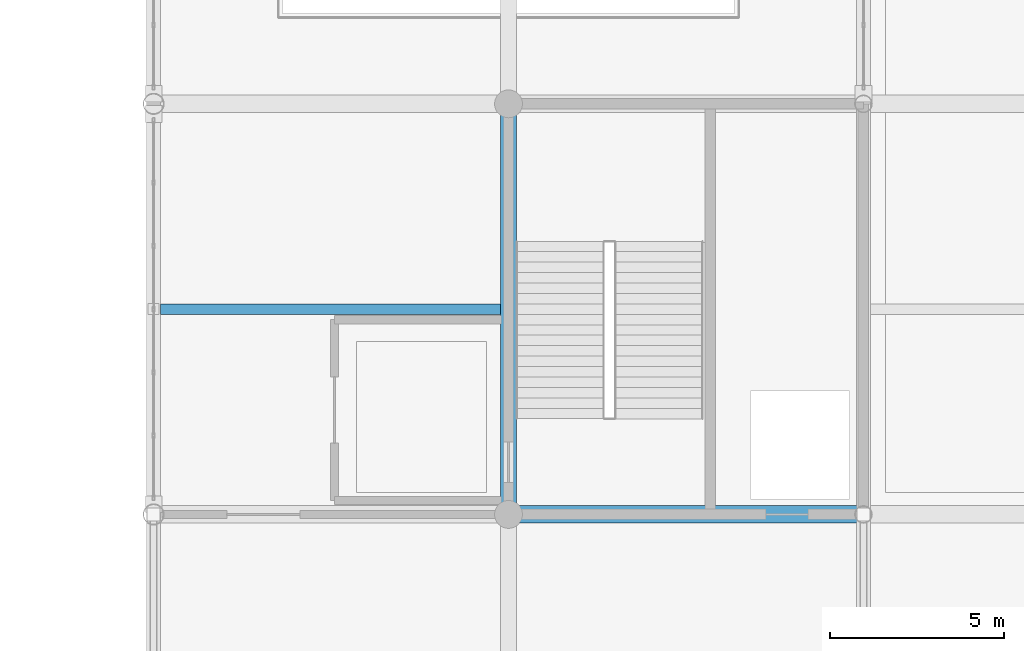
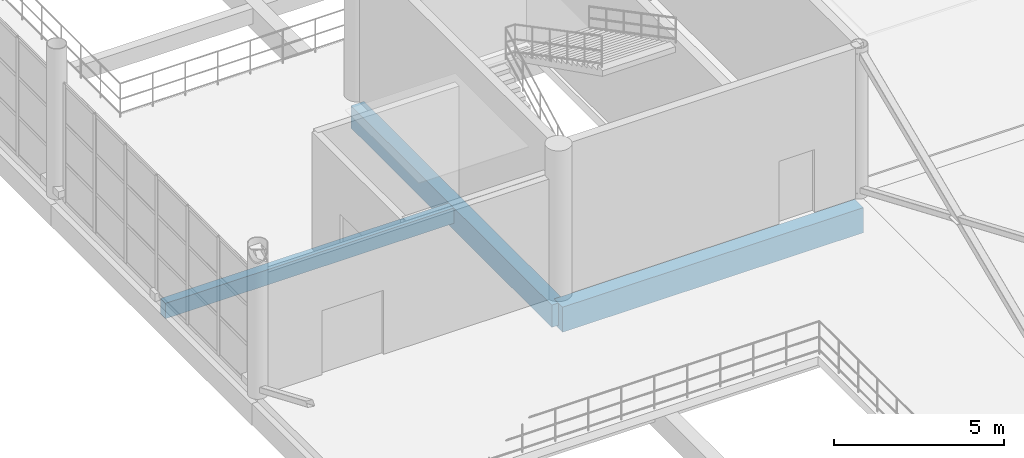
# One storey, part 51 of 175: 3 beams.
"""IFC4 building model written with IfcOpenShell, lengths in metres."""

from ifc_helpers import new_model, si_unit, direction, frame, origin, origin_2d, place, context, subcontext, project, spatial, rectangle, extrude, material, material_profile, profile_set, type_object, element, save


model = new_model("IFC4")

# Units and contexts
model_context = context("Model", 3, precision=1e-05, world=origin(), true_north=direction((0.0, 1.0)))
body_context = subcontext(model_context, "Body", "Model", "MODEL_VIEW")
ifc_project = project(units=[si_unit("LENGTHUNIT", "METRE"), si_unit("AREAUNIT", "SQUARE_METRE"), si_unit("VOLUMEUNIT", "CUBIC_METRE"), si_unit("PLANEANGLEUNIT", "RADIAN"), si_unit("MASSUNIT", "GRAM", prefix="KILO")], contexts=[model_context])

# Site, building, storey
site_placement = place(None, origin())
site = spatial("IfcSite", under=ifc_project, at=site_placement, CompositionType="ELEMENT")
building_placement = place(site_placement, origin())
building = spatial("IfcBuilding", under=site, at=building_placement, Name="Brelvane Convention Centre", CompositionType="ELEMENT")
storey_placement = place(building_placement, frame((0.0, 0.0, 5.39990234375)))
storey = spatial("IfcBuildingStorey", under=building, at=storey_placement, Name="L01", CompositionType="ELEMENT", Elevation=5.39990234375)

# Beams
ifc_material_1 = material(Name="Concrete M40", Category="concrete")
ifc_material_profile_1 = material_profile(ifc_material_1, rectangle(XDim=0.5, YDim=0.89990234375, at=origin_2d()), Name="RC 500x900")
ifc_profile_set_1 = profile_set([ifc_material_profile_1], Name="Concrete M40")
beam_type_1 = type_object("IfcBeamType", Name="RC Beam B-RC4 (RC 500x900)", PredefinedType="BEAM", material=ifc_profile_set_1)
beam_1_placement = place(storey_placement, frame((153.0, 40.60009765625, -0.77978515625), z_axis=(1.0, 0.0, 0.0), x_axis=(0.0, 1.0, 0.0)))
element("IfcBeam", 1, at=beam_1_placement, inside=storey, type_object=beam_type_1, Name="L01 Beam 16-17/E", PredefinedType="BEAM", context=body_context, shape_type="SweptSolid", body=[
    extrude(rectangle(XDim=0.5, YDim=0.89990234375, at=origin_2d()), origin(), (0.0, 0.0, 1.0), 10.199951171875),
])
ifc_material_2 = material(Name="Concrete M40", Category="concrete")
ifc_material_profile_2 = material_profile(ifc_material_2, rectangle(XDim=0.449951171875, YDim=0.800048828125, at=origin_2d()), Name="RC 450x800")
ifc_profile_set_2 = profile_set([ifc_material_profile_2], Name="Concrete M40")
beam_type_2 = type_object("IfcBeamType", Name="RC Beam B-RC5 (RC 450x800)", PredefinedType="BEAM", material=ifc_profile_set_2)
beam_2_placement = place(storey_placement, frame((153.0, 40.60009765625, -0.72998046875), z_axis=(0.0, 1.0, 0.0), x_axis=(-1.0, 0.0, 0.0)))
element("IfcBeam", 2, at=beam_2_placement, inside=storey, type_object=beam_type_2, Name="L01 Girder 16/E-F", PredefinedType="BEAM", context=body_context, shape_type="SweptSolid", body=[
    extrude(rectangle(XDim=0.449951171875, YDim=0.800048828125, at=origin_2d()), origin(), (0.0, 0.0, 1.0), 11.7998046875),
])
ifc_material_3 = material(Name="Concrete M40", Category="concrete")
ifc_material_profile_3 = material_profile(ifc_material_3, rectangle(XDim=0.300048828125, YDim=0.550048828125, at=origin_2d()), Name="RC 300x550")
ifc_profile_set_3 = profile_set([ifc_material_profile_3], Name="Concrete M40")
beam_type_3 = type_object("IfcBeamType", Name="RC Joist J-RC1 (RC 300x550)", PredefinedType="JOIST", material=ifc_profile_set_3)
beam_3_placement = place(storey_placement, frame((143.0, 46.5, -0.60498046875), z_axis=(1.0, 0.0, 0.0), x_axis=(0.0, 1.0, 0.0)))
element("IfcBeam", 3, at=beam_3_placement, inside=storey, type_object=beam_type_3, Name="L01 Secondary Joist 15-16/EF", PredefinedType="JOIST", context=body_context, shape_type="SweptSolid", body=[
    extrude(rectangle(XDim=0.300048828125, YDim=0.550048828125, at=origin_2d()), origin(), (0.0, 0.0, 1.0), 9.77490234375),
])

save(model, "model.ifc")
